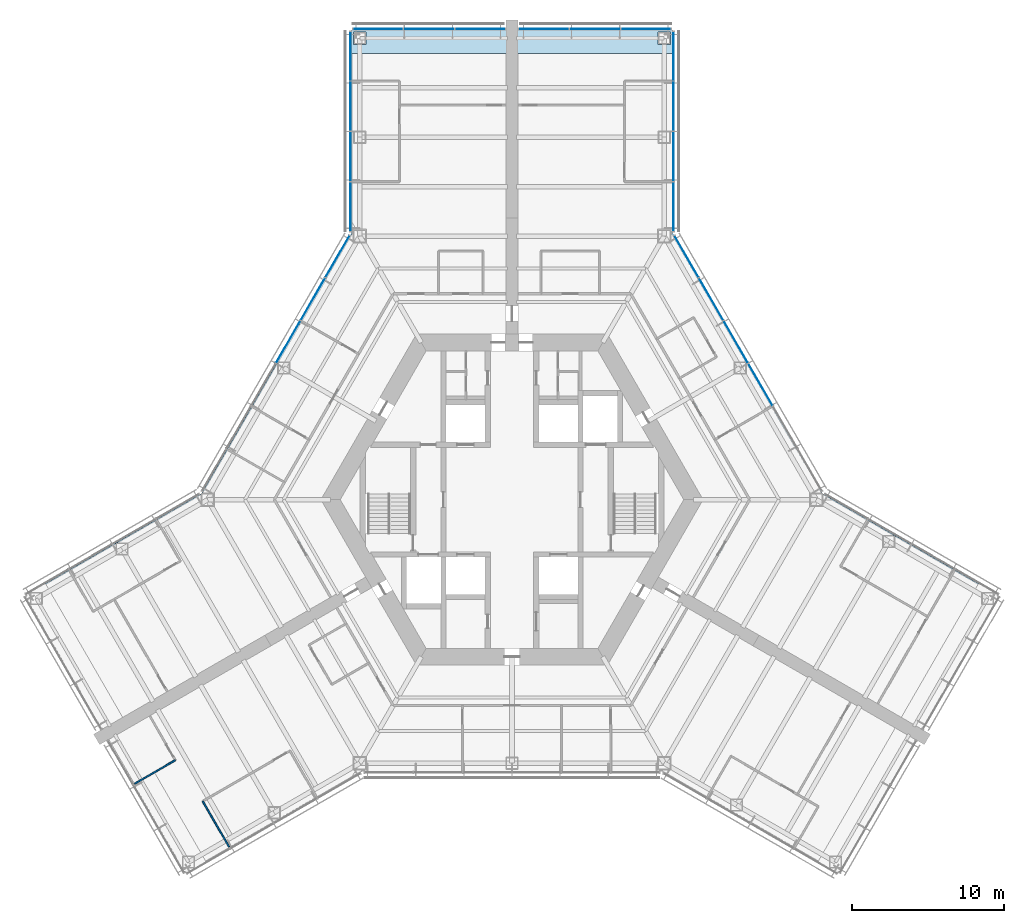
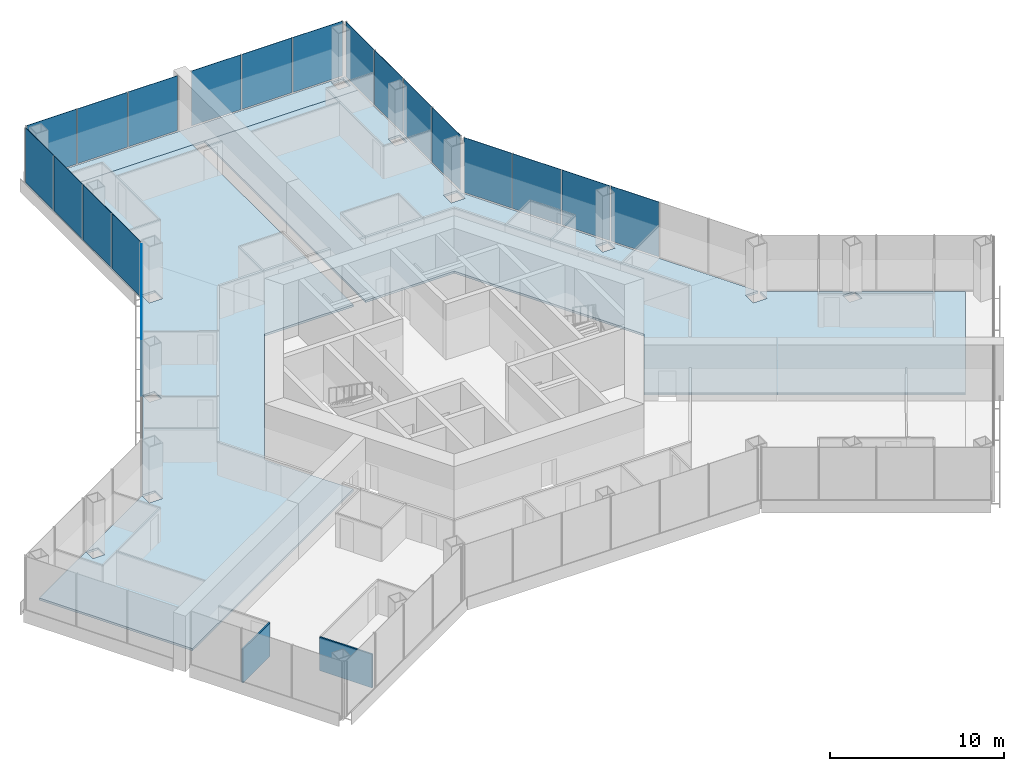
# One storey, part 11 of 18: 21 plates, 3 slabs, 2 walls, 6 elements without a shape of their own.
"""IFC4 building model written with IfcOpenShell, lengths in metres."""

from ifc_helpers import new_model, si_unit, direction, frame, frame_2d, origin, origin_2d, place, context, subcontext, project, spatial, polyline, rectangle, outline, extrude, material, layer, layer_set, type_object, element, aggregate, save


model = new_model("IFC4")

# Units and contexts
model_context = context("Model", 3, precision=1e-05, world=origin(), true_north=direction((0.0, 1.0)))
body_context = subcontext(model_context, "Body", "Model", "MODEL_VIEW")
ifc_project = project(units=[si_unit("LENGTHUNIT", "METRE"), si_unit("AREAUNIT", "SQUARE_METRE"), si_unit("VOLUMEUNIT", "CUBIC_METRE"), si_unit("PLANEANGLEUNIT", "RADIAN"), si_unit("MASSUNIT", "GRAM", prefix="KILO")], contexts=[model_context])

# Site, building, storey
site_placement = place(None, origin())
site = spatial("IfcSite", under=ifc_project, at=site_placement, CompositionType="ELEMENT")
building_placement = place(site_placement, origin())
building = spatial("IfcBuilding", under=site, at=building_placement, Name="Kasaneha Research Tower", CompositionType="ELEMENT")
storey_placement = place(building_placement, frame((0.0, 0.0, 119.699951171875)))
storey = spatial("IfcBuildingStorey", under=building, at=storey_placement, Name="L30", CompositionType="ELEMENT", Elevation=119.699951171875)

# Curtain wall, plates
ifc_material_1 = material(Name="Glass and aluminium", Category="aluminium")
curtain_wall_type = type_object("IfcCurtainWallType", Name="Low-rise office curtain wall", PredefinedType="USERDEFINED", material=ifc_material_1)
curtain_wall_1_placement = place(storey_placement, origin())
curtain_wall_1 = element("IfcCurtainWall", 1, at=curtain_wall_1_placement, inside=storey, type_object=curtain_wall_type, Name="CW-O1 L30 run 07a", ObjectType="UNITISED CURTAIN WALL", PredefinedType="USERDEFINED")
ifc_material_2 = material(Name="Laminated double glazing", Category="glass")
ifc_layer_1 = layer(ifc_material_2, 0.028076171875)
ifc_layer_set_1 = layer_set([ifc_layer_1], Name="CW-O1 glazed panel")
plate_type = type_object("IfcPlateType", Name="CW-O1 glazed panel", PredefinedType="CURTAIN_PANEL", material=ifc_layer_set_1)
plate_1_placement = place(storey_placement, frame((16.331298828125, 7.554443359375, 0.06005859375), z_axis=(0.0, 0.0, 1.0), x_axis=(-0.49999996188, 0.866025425793, 0.0)))
plate_1 = element("IfcPlate", 2, at=plate_1_placement, type_object=plate_type, Name="CW-O1 panel 3", PredefinedType="CURTAIN_PANEL", context=body_context, shape_type="SweptSolid", body=[
    extrude(rectangle(XDim=3.1865234375, YDim=0.028076171875, at=origin_2d()), origin(), (0.0, 0.0, 1.0), 3.840087890625),
])
plate_2_placement = place(storey_placement, frame((14.7080078125, 10.365966796875, 0.06005859375), z_axis=(0.0, 0.0, 1.0), x_axis=(-0.49999996188, 0.866025425793, 0.0)))
plate_2 = element("IfcPlate", 3, at=plate_2_placement, type_object=plate_type, Name="CW-O1 panel 4", PredefinedType="CURTAIN_PANEL", context=body_context, shape_type="SweptSolid", body=[
    extrude(rectangle(XDim=3.1865234375, YDim=0.028076171875, at=origin_2d()), origin(), (0.0, 0.0, 1.0), 3.840087890625),
])
plate_3_placement = place(storey_placement, frame((13.084716796875, 13.177490234375, 0.06005859375), z_axis=(0.0, 0.0, 1.0), x_axis=(-0.49999996188, 0.866025425793, 0.0)))
plate_3 = element("IfcPlate", 4, at=plate_3_placement, type_object=plate_type, Name="CW-O1 panel 5", PredefinedType="CURTAIN_PANEL", context=body_context, shape_type="SweptSolid", body=[
    extrude(rectangle(XDim=3.1865234375, YDim=0.028076171875, at=origin_2d()), origin(), (0.0, 0.0, 1.0), 3.840087890625),
])
plate_4_placement = place(storey_placement, frame((11.468994140625, 15.975830078125, 0.06005859375), z_axis=(0.0, 0.0, 1.0), x_axis=(-0.49999996188, 0.866025425793, 0.0)))
plate_4 = element("IfcPlate", 5, at=plate_4_placement, type_object=plate_type, Name="CW-O1 panel 6", PredefinedType="CURTAIN_PANEL", context=body_context, shape_type="SweptSolid", body=[
    extrude(rectangle(XDim=3.156494140625, YDim=0.028076171875, at=origin_2d()), origin(), (0.0, 0.0, 1.0), 3.840087890625),
])
aggregate(curtain_wall_1, [plate_1, plate_2, plate_3, plate_4])

curtain_wall_2_placement = place(storey_placement, origin())
curtain_wall_2 = element("IfcCurtainWall", 6, at=curtain_wall_2_placement, inside=storey, type_object=curtain_wall_type, Name="CW-O1 L30 run 08a", ObjectType="UNITISED CURTAIN WALL", PredefinedType="USERDEFINED")
plate_5_placement = place(storey_placement, frame((10.60009765625, 19.251220703125, 0.06005859375), z_axis=(0.0, 0.0, 1.0), x_axis=(0.0, 1.0, 0.0)))
plate_5 = element("IfcPlate", 7, at=plate_5_placement, type_object=plate_type, Name="CW-O1 panel 1", PredefinedType="CURTAIN_PANEL", context=body_context, shape_type="SweptSolid", body=[
    extrude(rectangle(XDim=3.2197265625, YDim=0.028076171875, at=origin_2d()), origin(), (0.0, 0.0, 1.0), 3.840087890625),
])
plate_6_placement = place(storey_placement, frame((10.60009765625, 22.5458984375, 0.06005859375), z_axis=(0.0, 0.0, 1.0), x_axis=(0.0, 1.0, 0.0)))
plate_6 = element("IfcPlate", 8, at=plate_6_placement, type_object=plate_type, Name="CW-O1 panel 2", PredefinedType="CURTAIN_PANEL", context=body_context, shape_type="SweptSolid", body=[
    extrude(rectangle(XDim=3.249755859375, YDim=0.028076171875, at=origin_2d()), origin(), (0.0, 0.0, 1.0), 3.840087890625),
])
plate_7_placement = place(storey_placement, frame((10.60009765625, 25.855712890625, 0.06005859375), z_axis=(0.0, 0.0, 1.0), x_axis=(0.0, 1.0, 0.0)))
plate_7 = element("IfcPlate", 9, at=plate_7_placement, type_object=plate_type, Name="CW-O1 panel 3", PredefinedType="CURTAIN_PANEL", context=body_context, shape_type="SweptSolid", body=[
    extrude(rectangle(XDim=3.249755859375, YDim=0.028076171875, at=origin_2d()), origin(), (0.0, 0.0, 1.0), 3.840087890625),
])
plate_8_placement = place(storey_placement, frame((10.60009765625, 29.150634765625, 0.06005859375), z_axis=(0.0, 0.0, 1.0), x_axis=(0.0, 1.0, 0.0)))
plate_8 = element("IfcPlate", 10, at=plate_8_placement, type_object=plate_type, Name="CW-O1 panel 4", PredefinedType="CURTAIN_PANEL", context=body_context, shape_type="SweptSolid", body=[
    extrude(rectangle(XDim=3.2197265625, YDim=0.028076171875, at=origin_2d()), origin(), (0.0, 0.0, 1.0), 3.840087890625),
])
aggregate(curtain_wall_2, [plate_5, plate_6, plate_7, plate_8])

curtain_wall_3_placement = place(storey_placement, origin())
curtain_wall_3 = element("IfcCurtainWall", 11, at=curtain_wall_3_placement, inside=storey, type_object=curtain_wall_type, Name="CW-O1 L30 run 09a", ObjectType="UNITISED CURTAIN WALL", PredefinedType="USERDEFINED")
plate_9_placement = place(storey_placement, frame((8.8017578125, 30.92041015625, 0.06005859375), z_axis=(0.0, 0.0, 1.0), x_axis=(-1.0, 0.0, 0.0)))
plate_9 = element("IfcPlate", 12, at=plate_9_placement, type_object=plate_type, Name="CW-O1 panel 1", PredefinedType="CURTAIN_PANEL", context=body_context, shape_type="SweptSolid", body=[
    extrude(rectangle(XDim=3.276611328125, YDim=0.028076171875, at=origin_2d()), origin(), (0.0, 0.0, 1.0), 3.840087890625),
])
plate_10_placement = place(storey_placement, frame((5.449951171875, 30.92041015625, 0.06005859375), z_axis=(0.0, 0.0, 1.0), x_axis=(-1.0, 0.0, 0.0)))
plate_10 = element("IfcPlate", 13, at=plate_10_placement, type_object=plate_type, Name="CW-O1 panel 2", PredefinedType="CURTAIN_PANEL", context=body_context, shape_type="SweptSolid", body=[
    extrude(rectangle(XDim=3.306640625, YDim=0.028076171875, at=origin_2d()), origin(), (0.0, 0.0, 1.0), 3.840087890625),
])
plate_11_placement = place(storey_placement, frame((2.098388671875, 30.92041015625, 0.06005859375), z_axis=(0.0, 0.0, 1.0), x_axis=(-1.0, 0.0, 0.0)))
plate_11 = element("IfcPlate", 14, at=plate_11_placement, type_object=plate_type, Name="CW-O1 panel 3", PredefinedType="CURTAIN_PANEL", context=body_context, shape_type="SweptSolid", body=[
    extrude(rectangle(XDim=3.276611328125, YDim=0.028076171875, at=origin_2d()), origin(), (0.0, 0.0, 1.0), 3.840087890625),
])
aggregate(curtain_wall_3, [plate_9, plate_10, plate_11])

curtain_wall_4_placement = place(storey_placement, origin())
curtain_wall_4 = element("IfcCurtainWall", 15, at=curtain_wall_4_placement, inside=storey, type_object=curtain_wall_type, Name="CW-O1 L30 run 10a", ObjectType="UNITISED CURTAIN WALL", PredefinedType="USERDEFINED")
plate_12_placement = place(storey_placement, frame((-2.098388671875, 30.92041015625, 0.06005859375), z_axis=(0.0, 0.0, 1.0), x_axis=(-1.0, 0.0, 0.0)))
plate_12 = element("IfcPlate", 16, at=plate_12_placement, type_object=plate_type, Name="CW-O1 panel 1", PredefinedType="CURTAIN_PANEL", context=body_context, shape_type="SweptSolid", body=[
    extrude(rectangle(XDim=3.276611328125, YDim=0.028076171875, at=origin_2d()), origin(), (0.0, 0.0, 1.0), 3.840087890625),
])
plate_13_placement = place(storey_placement, frame((-5.449951171875, 30.92041015625, 0.06005859375), z_axis=(0.0, 0.0, 1.0), x_axis=(-1.0, 0.0, 0.0)))
plate_13 = element("IfcPlate", 17, at=plate_13_placement, type_object=plate_type, Name="CW-O1 panel 2", PredefinedType="CURTAIN_PANEL", context=body_context, shape_type="SweptSolid", body=[
    extrude(rectangle(XDim=3.306640625, YDim=0.028076171875, at=origin_2d()), origin(), (0.0, 0.0, 1.0), 3.840087890625),
])
plate_14_placement = place(storey_placement, frame((-8.8017578125, 30.92041015625, 0.06005859375), z_axis=(0.0, 0.0, 1.0), x_axis=(-1.0, 0.0, 0.0)))
plate_14 = element("IfcPlate", 18, at=plate_14_placement, type_object=plate_type, Name="CW-O1 panel 3", PredefinedType="CURTAIN_PANEL", context=body_context, shape_type="SweptSolid", body=[
    extrude(rectangle(XDim=3.276611328125, YDim=0.028076171875, at=origin_2d()), origin(), (0.0, 0.0, 1.0), 3.840087890625),
])
aggregate(curtain_wall_4, [plate_12, plate_13, plate_14])

curtain_wall_5_placement = place(storey_placement, origin())
curtain_wall_5 = element("IfcCurtainWall", 19, at=curtain_wall_5_placement, inside=storey, type_object=curtain_wall_type, Name="CW-O1 L30 run 11a", ObjectType="UNITISED CURTAIN WALL", PredefinedType="USERDEFINED")
plate_15_placement = place(storey_placement, frame((-10.60009765625, 29.150634765625, 0.06005859375), z_axis=(0.0, 0.0, 1.0), x_axis=(0.0, -1.0, 0.0)))
plate_15 = element("IfcPlate", 20, at=plate_15_placement, type_object=plate_type, Name="CW-O1 panel 1", PredefinedType="CURTAIN_PANEL", context=body_context, shape_type="SweptSolid", body=[
    extrude(rectangle(XDim=3.2197265625, YDim=0.028076171875, at=origin_2d()), origin(), (0.0, 0.0, 1.0), 3.840087890625),
])
plate_16_placement = place(storey_placement, frame((-10.60009765625, 25.855712890625, 0.06005859375), z_axis=(0.0, 0.0, 1.0), x_axis=(0.0, -1.0, 0.0)))
plate_16 = element("IfcPlate", 21, at=plate_16_placement, type_object=plate_type, Name="CW-O1 panel 2", PredefinedType="CURTAIN_PANEL", context=body_context, shape_type="SweptSolid", body=[
    extrude(rectangle(XDim=3.249755859375, YDim=0.028076171875, at=origin_2d()), origin(), (0.0, 0.0, 1.0), 3.840087890625),
])
plate_17_placement = place(storey_placement, frame((-10.60009765625, 22.5458984375, 0.06005859375), z_axis=(0.0, 0.0, 1.0), x_axis=(0.0, -1.0, 0.0)))
plate_17 = element("IfcPlate", 22, at=plate_17_placement, type_object=plate_type, Name="CW-O1 panel 3", PredefinedType="CURTAIN_PANEL", context=body_context, shape_type="SweptSolid", body=[
    extrude(rectangle(XDim=3.249755859375, YDim=0.028076171875, at=origin_2d()), origin(), (0.0, 0.0, 1.0), 3.840087890625),
])
plate_18_placement = place(storey_placement, frame((-10.60009765625, 19.251220703125, 0.06005859375), z_axis=(0.0, 0.0, 1.0), x_axis=(0.0, -1.0, 0.0)))
plate_18 = element("IfcPlate", 23, at=plate_18_placement, type_object=plate_type, Name="CW-O1 panel 4", PredefinedType="CURTAIN_PANEL", context=body_context, shape_type="SweptSolid", body=[
    extrude(rectangle(XDim=3.2197265625, YDim=0.028076171875, at=origin_2d()), origin(), (0.0, 0.0, 1.0), 3.840087890625),
])
aggregate(curtain_wall_5, [plate_15, plate_16, plate_17, plate_18])

curtain_wall_6_placement = place(storey_placement, origin())
curtain_wall_6 = element("IfcCurtainWall", 24, at=curtain_wall_6_placement, inside=storey, type_object=curtain_wall_type, Name="CW-O1 L30 run 12a", ObjectType="UNITISED CURTAIN WALL", PredefinedType="USERDEFINED")
plate_19_placement = place(storey_placement, frame((-11.468994140625, 15.975830078125, 0.06005859375), z_axis=(0.0, 0.0, 1.0), x_axis=(-0.49999996188, -0.866025425793, 0.0)))
plate_19 = element("IfcPlate", 25, at=plate_19_placement, type_object=plate_type, Name="CW-O1 panel 1", PredefinedType="CURTAIN_PANEL", context=body_context, shape_type="SweptSolid", body=[
    extrude(rectangle(XDim=3.156494140625, YDim=0.028076171875, at=origin_2d()), origin(), (0.0, 0.0, 1.0), 3.840087890625),
])
plate_20_placement = place(storey_placement, frame((-13.084716796875, 13.177490234375, 0.06005859375), z_axis=(0.0, 0.0, 1.0), x_axis=(-0.49999996188, -0.866025425793, 0.0)))
plate_20 = element("IfcPlate", 26, at=plate_20_placement, type_object=plate_type, Name="CW-O1 panel 2", PredefinedType="CURTAIN_PANEL", context=body_context, shape_type="SweptSolid", body=[
    extrude(rectangle(XDim=3.1865234375, YDim=0.028076171875, at=origin_2d()), origin(), (0.0, 0.0, 1.0), 3.840087890625),
])
plate_21_placement = place(storey_placement, frame((-14.7080078125, 10.365966796875, 0.06005859375), z_axis=(0.0, 0.0, 1.0), x_axis=(-0.49999996188, -0.866025425793, 0.0)))
plate_21 = element("IfcPlate", 27, at=plate_21_placement, type_object=plate_type, Name="CW-O1 panel 3", PredefinedType="CURTAIN_PANEL", context=body_context, shape_type="SweptSolid", body=[
    extrude(rectangle(XDim=3.1865234375, YDim=0.028076171875, at=origin_2d()), origin(), (0.0, 0.0, 1.0), 3.840087890625),
])
aggregate(curtain_wall_6, [plate_19, plate_20, plate_21])

# Slabs
ifc_material_3 = material(Name="Concrete Fc24", Category="concrete")
ifc_layer_2 = layer(ifc_material_3, 0.14990234375)
ifc_layer_set_2 = layer_set([ifc_layer_2], Name="Floor slab 150")
slab_type = type_object("IfcSlabType", Name="Floor slab 150", PredefinedType="FLOOR", material=ifc_layer_set_2)
slab_1_placement = place(storey_placement, frame((0.0, 0.0, -0.14990234375)))
element("IfcSlab", 28, at=slab_1_placement, inside=storey, type_object=slab_type, Name="Floor slab L30 2", PredefinedType="FLOOR", context=body_context, shape_type="SweptSolid", body=[
    extrude(outline(polyline([(-20.375244140625, 0.449951171875), (-15.40771484375, 9.053955078125), (-15.400146484375, 9.046142578125), (-15.400146484375, 8.26025390625), (-14.599853515625, 8.26025390625), (-14.599853515625, 9.060302734375), (-15.385986328125, 9.060302734375), (-15.3974609375, 9.07177734375), (-10.550048828125, 17.4677734375), (-10.550048828125, 29.310546875), (-0.39990234375, 29.310546875), (-0.39990234375, 10.875), (-6.278564453125, 10.875), (-12.557373046875, 0.0), (-9.617919921875, -5.091064453125), (-25.583740234375, -14.308837890625), (-30.65869140625, -5.518798828125), (-26.040771484375, -2.8525390625), (-26.029296875, -2.864013671875), (-26.029296875, -3.650146484375), (-25.22900390625, -3.650146484375), (-25.22900390625, -2.849853515625), (-26.01513671875, -2.849853515625), (-26.02294921875, -2.84228515625), (-20.449951171875, 0.375244140625), (-20.449951171875, -0.449951171875), (-19.550048828125, -0.449951171875), (-19.550048828125, 0.449951171875), (-20.375244140625, 0.449951171875)]), holes=[polyline([(-9.550048828125, 17.7705078125), (-10.449951171875, 17.7705078125), (-10.449951171875, 16.87060546875), (-9.550048828125, 16.87060546875), (-9.550048828125, 17.7705078125)]), polyline([(-9.60009765625, 23.42041015625), (-9.60009765625, 24.220458984375), (-10.39990234375, 24.220458984375), (-10.39990234375, 23.42041015625), (-9.60009765625, 23.42041015625)])]), origin(), (0.0, 0.0, 1.0), 0.14990234375),
])
slab_2_placement = place(storey_placement, frame((0.0, 0.0, -0.14990234375)))
element("IfcSlab", 29, at=slab_2_placement, inside=storey, type_object=slab_type, Name="Floor slab L30 3", PredefinedType="FLOOR", context=body_context, shape_type="SweptSolid", body=[
    extrude(outline(polyline([(10.550048828125, 29.310546875), (0.39990234375, 29.310546875), (0.39990234375, 29.320556640625), (-0.39990234375, 29.320556640625), (-0.39990234375, 29.310546875), (-10.550048828125, 29.310546875), (-10.550048828125, 30.87060546875), (10.550048828125, 30.87060546875), (10.550048828125, 29.310546875)]), holes=[polyline([(-9.60009765625, 30.720458984375), (-10.39990234375, 30.720458984375), (-10.39990234375, 29.92041015625), (-9.60009765625, 29.92041015625), (-9.60009765625, 30.720458984375)]), polyline([(10.39990234375, 29.92041015625), (10.39990234375, 30.720458984375), (9.60009765625, 30.720458984375), (9.60009765625, 29.92041015625), (10.39990234375, 29.92041015625)])]), origin(), (0.0, 0.0, 1.0), 0.14990234375),
])
slab_3_placement = place(storey_placement, frame((0.0, 0.0, -0.14990234375)))
element("IfcSlab", 30, at=slab_3_placement, inside=storey, type_object=slab_type, Name="Floor slab L30 5", PredefinedType="FLOOR", context=body_context, shape_type="SweptSolid", body=[
    extrude(outline(polyline([(9.617919921875, -5.091064453125), (12.557373046875, 0.0), (6.278564453125, 10.875), (0.39990234375, 10.875), (0.39990234375, 29.310546875), (10.550048828125, 29.310546875), (10.550048828125, 17.4677734375), (15.3974609375, 9.07177734375), (15.385986328125, 9.060302734375), (14.599853515625, 9.060302734375), (14.599853515625, 8.26025390625), (15.400146484375, 8.26025390625), (15.400146484375, 9.046142578125), (15.40771484375, 9.053955078125), (20.375244140625, 0.449951171875), (19.550048828125, 0.449951171875), (19.550048828125, -0.449951171875), (20.449951171875, -0.449951171875), (20.449951171875, 0.375244140625), (25.15673828125, -2.34228515625), (25.149169921875, -2.349853515625), (24.363037109375, -2.349853515625), (24.363037109375, -3.150146484375), (25.163330078125, -3.150146484375), (25.163330078125, -2.364013671875), (25.1748046875, -2.3525390625), (30.65869140625, -5.518798828125), (25.583740234375, -14.308837890625), (9.617919921875, -5.091064453125)]), holes=[polyline([(10.449951171875, 16.87060546875), (10.449951171875, 17.7705078125), (9.550048828125, 17.7705078125), (9.550048828125, 16.87060546875), (10.449951171875, 16.87060546875)]), polyline([(10.39990234375, 23.42041015625), (10.39990234375, 24.220458984375), (9.60009765625, 24.220458984375), (9.60009765625, 23.42041015625), (10.39990234375, 23.42041015625)])]), origin(), (0.0, 0.0, 1.0), 0.14990234375),
])

# Walls
ifc_material_4 = material(Name="Gypsum board on steel studs, one layer each side", Category="steel")
ifc_layer_3 = layer(ifc_material_4, 0.10009765625)
ifc_layer_set_3 = layer_set([ifc_layer_3], Name="Office partition 100")
wall_type = type_object("IfcWallType", Name="Office partition 100", PredefinedType="PARTITIONING", material=ifc_layer_set_3)
wall_1_placement = place(storey_placement, frame((-18.5849609375, -22.831298828125, 0.0), z_axis=(0.0, 0.0, 1.0), x_axis=(-0.499979528911, 0.866037222451, 0.0)))
element("IfcWall", 31, at=wall_1_placement, inside=storey, type_object=wall_type, Name="Office partition FBS08 L30", PredefinedType="PARTITIONING", context=body_context, shape_type="SweptSolid", body=[
    extrude(rectangle(XDim=3.480224609375, YDim=0.10009765625, at=frame_2d((1.740234375, 0.0))), origin(), (0.0, 0.0, 1.0), 2.35009765625),
])
wall_2_placement = place(storey_placement, frame((-22.123291015625, -17.122314453125, 0.0), z_axis=(0.0, 0.0, 1.0), x_axis=(-0.86602952684, -0.49999285859, 0.0)))
element("IfcWall", 32, at=wall_2_placement, inside=storey, type_object=wall_type, Name="Office partition FBS11 L30", PredefinedType="PARTITIONING", context=body_context, shape_type="SweptSolid", body=[
    extrude(rectangle(XDim=3.10009765625, YDim=0.10009765625, at=frame_2d((1.550048828125, 0.0))), origin(), (0.0, 0.0, 1.0), 2.35009765625),
])

save(model, "model.ifc")
